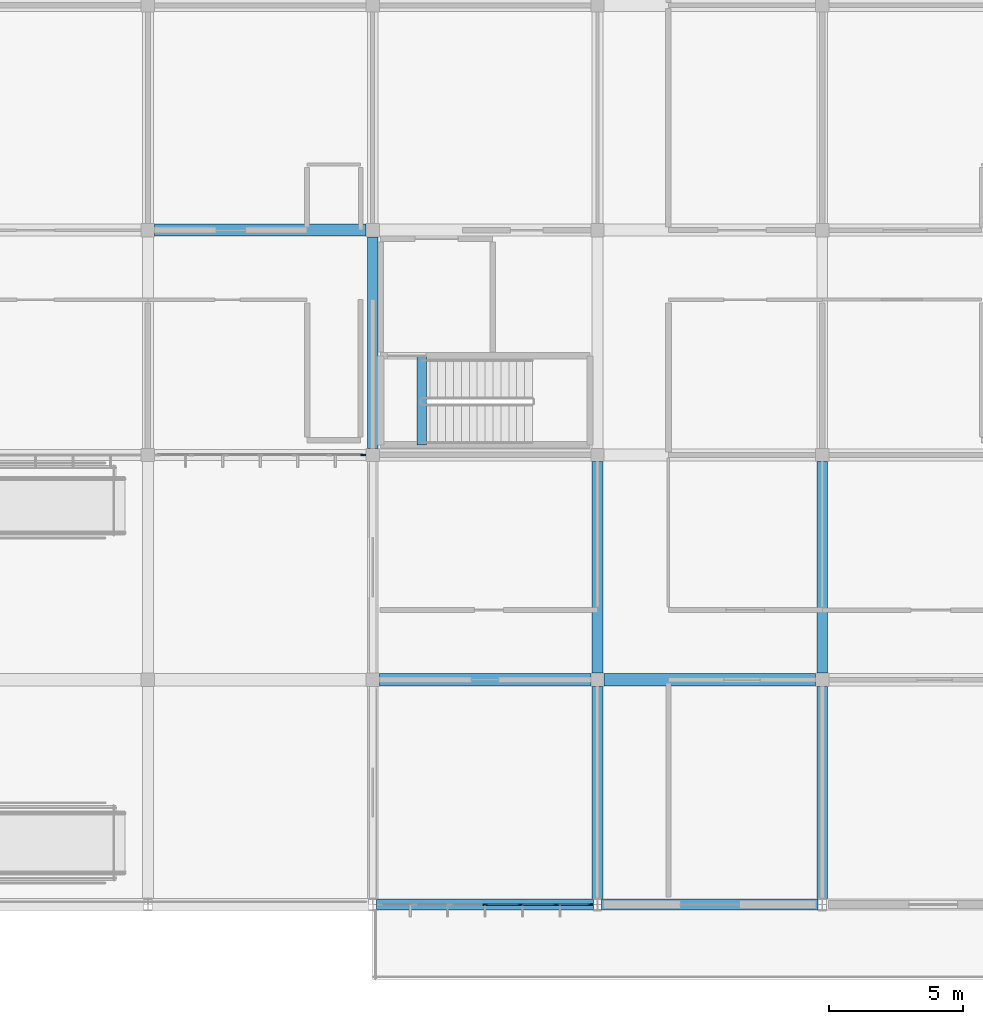
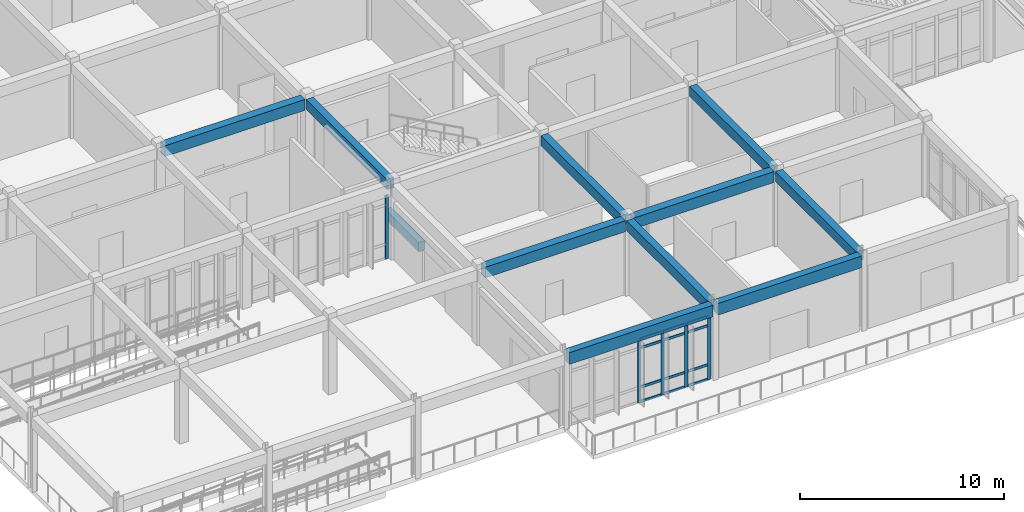
# One storey, part 12 of 138: 17 members, 11 beams, 2 elements without a shape of their own.
"""IFC4 building model written with IfcOpenShell, lengths in metres."""

from ifc_helpers import new_model, si_unit, direction, frame, origin, origin_2d, place, context, subcontext, project, spatial, rectangle, extrude, material, layer, layer_set, material_profile, profile_set, type_object, element, aggregate, save


model = new_model("IFC4")

# Units and contexts
model_context = context("Model", 3, precision=1e-05, world=origin(), true_north=direction((0.0, 1.0)))
body_context = subcontext(model_context, "Body", "Model", "MODEL_VIEW")
ifc_project = project(units=[si_unit("LENGTHUNIT", "METRE"), si_unit("AREAUNIT", "SQUARE_METRE"), si_unit("VOLUMEUNIT", "CUBIC_METRE"), si_unit("PLANEANGLEUNIT", "RADIAN"), si_unit("MASSUNIT", "GRAM", prefix="KILO")], contexts=[model_context])

# Site, building, storey
site_placement = place(None, origin())
site = spatial("IfcSite", under=ifc_project, at=site_placement, CompositionType="ELEMENT")
building_placement = place(site_placement, origin())
building = spatial("IfcBuilding", under=site, at=building_placement, Name="Bramfleet General Hospital", CompositionType="ELEMENT")
storey_placement = place(building_placement, origin())
storey = spatial("IfcBuildingStorey", under=building, at=storey_placement, Name="L00", CompositionType="ELEMENT", Elevation=0.0)

# Beams
ifc_material_1 = material(Name="Concrete C35/45", Category="concrete")
ifc_material_profile_1 = material_profile(ifc_material_1, rectangle(XDim=0.35009765625, YDim=0.550048828125, at=origin_2d()), Name="RC BM 550x350")
ifc_profile_set_1 = profile_set([ifc_material_profile_1], Name="Concrete C35/45")
beam_type_1 = type_object("IfcBeamType", Name="BM-RC550", PredefinedType="BEAM", material=ifc_profile_set_1)
beam_1_placement = place(storey_placement, frame((27.0400390625, 17.179931640625, -0.27490234375), z_axis=(0.0, 1.0, 0.0), x_axis=(-1.0, 0.0, 0.0)))
element("IfcBeam", 1, at=beam_1_placement, inside=storey, type_object=beam_type_1, Name="L00 C7 Stairwell Trimmer Beam", PredefinedType="BEAM", context=body_context, shape_type="SweptSolid", body=[
    extrude(rectangle(XDim=0.35009765625, YDim=0.550048828125, at=origin_2d()), origin(), (0.0, 0.0, 1.0), 3.320068359375),
])
ifc_material_profile_2 = material_profile(ifc_material_1, rectangle(XDim=0.39990234375, YDim=0.60009765625, at=origin_2d()), Name="RC BM 600x400")
ifc_profile_set_2 = profile_set([ifc_material_profile_2], Name="Concrete C35/45")
beam_type_2 = type_object("IfcBeamType", Name="BM-RC600", PredefinedType="BEAM", material=ifc_profile_set_2)
beam_2_placement = place(storey_placement, frame((25.199951171875, 17.050048828125, 4.199951171875), z_axis=(0.0, 1.0, 0.0), x_axis=(-1.0, 0.0, 0.0)))
element("IfcBeam", 2, at=beam_2_placement, inside=storey, type_object=beam_type_2, Name="L00 Grid Beam Y 03-02", PredefinedType="BEAM", context=body_context, shape_type="SweptSolid", body=[
    extrude(rectangle(XDim=0.39990234375, YDim=0.60009765625, at=origin_2d()), origin(), (0.0, 0.0, 1.0), 7.89990234375),
])
beam_3_placement = place(storey_placement, frame((33.60009765625, 0.22509765625, 4.199951171875), z_axis=(0.0, 1.0, 0.0), x_axis=(-1.0, 0.0, 0.0)))
element("IfcBeam", 3, at=beam_3_placement, inside=storey, type_object=beam_type_2, Name="L00 Grid Beam Y 04-00", PredefinedType="BEAM", context=body_context, shape_type="SweptSolid", body=[
    extrude(rectangle(XDim=0.39990234375, YDim=0.60009765625, at=origin_2d()), origin(), (0.0, 0.0, 1.0), 7.9248046875),
])
beam_4_placement = place(storey_placement, frame((33.60009765625, 8.64990234375, 4.199951171875), z_axis=(0.0, 1.0, 0.0), x_axis=(-1.0, 0.0, 0.0)))
element("IfcBeam", 4, at=beam_4_placement, inside=storey, type_object=beam_type_2, Name="L00 Grid Beam Y 04-01", PredefinedType="BEAM", context=body_context, shape_type="SweptSolid", body=[
    extrude(rectangle(XDim=0.39990234375, YDim=0.60009765625, at=origin_2d()), origin(), (0.0, 0.0, 1.0), 7.900146484375),
])
beam_5_placement = place(storey_placement, frame((42.0, 0.22509765625, 4.199951171875), z_axis=(0.0, 1.0, 0.0), x_axis=(-1.0, 0.0, 0.0)))
element("IfcBeam", 5, at=beam_5_placement, inside=storey, type_object=beam_type_2, Name="L00 Grid Beam Y 05-00", PredefinedType="BEAM", context=body_context, shape_type="SweptSolid", body=[
    extrude(rectangle(XDim=0.39990234375, YDim=0.60009765625, at=origin_2d()), origin(), (0.0, 0.0, 1.0), 7.9248046875),
])
beam_6_placement = place(storey_placement, frame((42.0, 8.64990234375, 4.199951171875), z_axis=(0.0, 1.0, 0.0), x_axis=(-1.0, 0.0, 0.0)))
element("IfcBeam", 6, at=beam_6_placement, inside=storey, type_object=beam_type_2, Name="L00 Grid Beam Y 05-01", PredefinedType="BEAM", context=body_context, shape_type="SweptSolid", body=[
    extrude(rectangle(XDim=0.39990234375, YDim=0.60009765625, at=origin_2d()), origin(), (0.0, 0.0, 1.0), 7.900146484375),
])
ifc_material_profile_3 = material_profile(ifc_material_1, rectangle(XDim=0.449951171875, YDim=0.64990234375, at=origin_2d()), Name="RC BM 650x450")
ifc_profile_set_3 = profile_set([ifc_material_profile_3], Name="Concrete C35/45")
beam_type_3 = type_object("IfcBeamType", Name="BM-RC650", PredefinedType="BEAM", material=ifc_profile_set_3)
beam_7_placement = place(storey_placement, frame((17.050048828125, 25.199951171875, 4.175048828125), z_axis=(1.0, 0.0, 0.0), x_axis=(0.0, 1.0, 0.0)))
element("IfcBeam", 7, at=beam_7_placement, inside=storey, type_object=beam_type_3, Name="L00 Grid Beam X 02-03", PredefinedType="BEAM", context=body_context, shape_type="SweptSolid", body=[
    extrude(rectangle(XDim=0.449951171875, YDim=0.64990234375, at=origin_2d()), origin(), (0.0, 0.0, 1.0), 7.89990234375),
])
beam_8_placement = place(storey_placement, frame((25.449951171875, 8.39990234375, 4.175048828125), z_axis=(1.0, 0.0, 0.0), x_axis=(0.0, 1.0, 0.0)))
element("IfcBeam", 8, at=beam_8_placement, inside=storey, type_object=beam_type_3, Name="L00 Grid Beam X 03-01", PredefinedType="BEAM", context=body_context, shape_type="SweptSolid", body=[
    extrude(rectangle(XDim=0.449951171875, YDim=0.64990234375, at=origin_2d()), origin(), (0.0, 0.0, 1.0), 7.900146484375),
])
beam_9_placement = place(storey_placement, frame((33.85009765625, 8.39990234375, 4.175048828125), z_axis=(1.0, 0.0, 0.0), x_axis=(0.0, 1.0, 0.0)))
element("IfcBeam", 9, at=beam_9_placement, inside=storey, type_object=beam_type_3, Name="L00 Grid Beam X 04-01", PredefinedType="BEAM", context=body_context, shape_type="SweptSolid", body=[
    extrude(rectangle(XDim=0.449951171875, YDim=0.64990234375, at=origin_2d()), origin(), (0.0, 0.0, 1.0), 7.89990234375),
])
ifc_material_profile_4 = material_profile(ifc_material_1, rectangle(XDim=0.39990234375, YDim=0.699951171875, at=origin_2d()), Name="RC SP 700x400")
ifc_profile_set_4 = profile_set([ifc_material_profile_4], Name="Concrete C35/45")
beam_type_4 = type_object("IfcBeamType", Name="BM-SP700", PredefinedType="SPANDREL", material=ifc_profile_set_4)
beam_10_placement = place(storey_placement, frame((25.35009765625, 0.0, 4.14990234375), z_axis=(1.0, 0.0, 0.0), x_axis=(0.0, 1.0, 0.0)))
element("IfcBeam", 10, at=beam_10_placement, inside=storey, type_object=beam_type_4, Name="L00 Grid Beam X 03-00", PredefinedType="SPANDREL", context=body_context, shape_type="SweptSolid", body=[
    extrude(rectangle(XDim=0.39990234375, YDim=0.699951171875, at=origin_2d()), origin(), (0.0, 0.0, 1.0), 8.099853515625),
])
beam_11_placement = place(storey_placement, frame((33.75, 0.0, 4.14990234375), z_axis=(1.0, 0.0, 0.0), x_axis=(0.0, 1.0, 0.0)))
element("IfcBeam", 11, at=beam_11_placement, inside=storey, type_object=beam_type_4, Name="L00 Grid Beam X 04-00", PredefinedType="SPANDREL", context=body_context, shape_type="SweptSolid", body=[
    extrude(rectangle(XDim=0.39990234375, YDim=0.699951171875, at=origin_2d()), origin(), (0.0, 0.0, 1.0), 8.10009765625),
])

# Curtain wall, members
ifc_material_2 = material(Name="Anodised aluminium and low-E triple glazing", Category="aluminium")
ifc_layer_1 = layer(ifc_material_2, 0.179931640625, Name="CWT-CW-02")
ifc_layer_set_1 = layer_set([ifc_layer_1], Name="Anodised aluminium and low-E triple glazing")
curtain_wall_type_1 = type_object("IfcCurtainWallType", Name="CWT-CW-02", PredefinedType="USERDEFINED", material=ifc_layer_set_1)
curtain_wall_1_placement = place(storey_placement, origin())
curtain_wall_1 = element("IfcCurtainWall", 12, at=curtain_wall_1_placement, inside=storey, type_object=curtain_wall_type_1, Name="L00 Curtain Wall 38", ObjectType="Unitised curtain wall", PredefinedType="USERDEFINED")
ifc_material_3 = material(Name="Structural timber GL28h", Category="wood")
ifc_material_profile_5 = material_profile(ifc_material_3, rectangle(XDim=0.070068359375, YDim=0.18994140625, at=origin_2d()), Name="LARCH 190x70")
ifc_profile_set_5 = profile_set([ifc_material_profile_5], Name="Structural timber GL28h")
member_type_1 = type_object("IfcMemberType", Name="CWM-LARCH450", PredefinedType="MULLION", material=ifc_profile_set_5)
member_1_placement = place(storey_placement, frame((33.340087890625, 0.0, 0.0), z_axis=(0.0, 0.0, 1.0), x_axis=(0.0, -1.0, 0.0)))
member_1 = element("IfcMember", 13, at=member_1_placement, type_object=member_type_1, Name="CW-02 mullion 1", PredefinedType="MULLION", context=body_context, shape_type="SweptSolid", body=[
    extrude(rectangle(XDim=0.070068359375, YDim=0.18994140625, at=origin_2d()), origin(), (0.0, 0.0, 1.0), 3.7900390625),
])
member_2_placement = place(storey_placement, frame((32.050048828125, 0.0, 0.0), z_axis=(0.0, 0.0, 1.0), x_axis=(0.0, -1.0, 0.0)))
member_2 = element("IfcMember", 14, at=member_2_placement, type_object=member_type_1, Name="CW-02 mullion 2", PredefinedType="MULLION", context=body_context, shape_type="SweptSolid", body=[
    extrude(rectangle(XDim=0.070068359375, YDim=0.18994140625, at=origin_2d()), origin(), (0.0, 0.0, 1.0), 3.7900390625),
])
member_3_placement = place(storey_placement, frame((30.72509765625, 0.0, 0.0), z_axis=(0.0, 0.0, 1.0), x_axis=(0.0, -1.0, 0.0)))
member_3 = element("IfcMember", 15, at=member_3_placement, type_object=member_type_1, Name="CW-02 mullion 3", PredefinedType="MULLION", context=body_context, shape_type="SweptSolid", body=[
    extrude(rectangle(XDim=0.070068359375, YDim=0.18994140625, at=origin_2d()), origin(), (0.0, 0.0, 1.0), 3.7900390625),
])
member_4_placement = place(storey_placement, frame((29.39990234375, 0.0, 0.0), z_axis=(0.0, 0.0, 1.0), x_axis=(0.0, -1.0, 0.0)))
member_4 = element("IfcMember", 16, at=member_4_placement, type_object=member_type_1, Name="CW-02 mullion 4", PredefinedType="MULLION", context=body_context, shape_type="SweptSolid", body=[
    extrude(rectangle(XDim=0.070068359375, YDim=0.18994140625, at=origin_2d()), origin(), (0.0, 0.0, 1.0), 3.7900390625),
])

# Curtain wall, member
ifc_layer_2 = layer(ifc_material_2, 0.179931640625, Name="CWT-CW-03")
ifc_layer_set_2 = layer_set([ifc_layer_2], Name="Anodised aluminium and low-E triple glazing")
curtain_wall_type_2 = type_object("IfcCurtainWallType", Name="CWT-CW-03", PredefinedType="USERDEFINED", material=ifc_layer_set_2)
curtain_wall_2_placement = place(storey_placement, origin())
curtain_wall_2 = element("IfcCurtainWall", 17, at=curtain_wall_2_placement, inside=storey, type_object=curtain_wall_type_2, Name="L00 Curtain Wall 39", ObjectType="Unitised curtain wall", PredefinedType="USERDEFINED")
member_5_placement = place(storey_placement, frame((24.840087890625, 16.800048828125, 0.0), z_axis=(0.0, 0.0, 1.0), x_axis=(0.0, -1.0, 0.0)))
member_5 = element("IfcMember", 18, at=member_5_placement, type_object=member_type_1, Name="CW-03 mullion 1", PredefinedType="MULLION", context=body_context, shape_type="SweptSolid", body=[
    extrude(rectangle(XDim=0.070068359375, YDim=0.18994140625, at=origin_2d()), origin(), (0.0, 0.0, 1.0), 3.7900390625),
])
aggregate(curtain_wall_2, [member_5])

# Member
ifc_material_profile_6 = material_profile(ifc_material_3, rectangle(XDim=0.06494140625, YDim=0.14990234375, at=origin_2d()), Name="LARCH 150x65")
ifc_profile_set_6 = profile_set([ifc_material_profile_6], Name="Structural timber GL28h")
member_type_2 = type_object("IfcMemberType", Name="CWT-LARCH220", PredefinedType="USERDEFINED", material=ifc_profile_set_6)
member_6_placement = place(storey_placement, frame((33.304931640625, 0.0, 0.032470703125), z_axis=(-1.0, 0.0, 0.0), x_axis=(0.0, -1.0, 0.0)))
member_6 = element("IfcMember", 19, at=member_6_placement, type_object=member_type_2, Name="CW-02 transom 1.1", ObjectType="TRANSOM", PredefinedType="USERDEFINED", context=body_context, shape_type="SweptSolid", body=[
    extrude(rectangle(XDim=0.06494140625, YDim=0.14990234375, at=origin_2d()), origin(), (0.0, 0.0, 1.0), 1.219970703125),
])

member_7_placement = place(storey_placement, frame((33.304931640625, 0.0, 0.89990234375), z_axis=(-1.0, 0.0, 0.0), x_axis=(0.0, -1.0, 0.0)))
member_7 = element("IfcMember", 20, at=member_7_placement, type_object=member_type_2, Name="CW-02 transom 1.2", ObjectType="TRANSOM", PredefinedType="USERDEFINED", context=body_context, shape_type="SweptSolid", body=[
    extrude(rectangle(XDim=0.06494140625, YDim=0.14990234375, at=origin_2d()), origin(), (0.0, 0.0, 1.0), 1.219970703125),
])

member_8_placement = place(storey_placement, frame((33.304931640625, 0.0, 3.239990234375), z_axis=(-1.0, 0.0, 0.0), x_axis=(0.0, -1.0, 0.0)))
member_8 = element("IfcMember", 21, at=member_8_placement, type_object=member_type_2, Name="CW-02 transom 1.3", ObjectType="TRANSOM", PredefinedType="USERDEFINED", context=body_context, shape_type="SweptSolid", body=[
    extrude(rectangle(XDim=0.06494140625, YDim=0.14990234375, at=origin_2d()), origin(), (0.0, 0.0, 1.0), 1.219970703125),
])

member_9_placement = place(storey_placement, frame((33.304931640625, 0.0, 3.757568359375), z_axis=(-1.0, 0.0, 0.0), x_axis=(0.0, -1.0, 0.0)))
member_9 = element("IfcMember", 22, at=member_9_placement, type_object=member_type_2, Name="CW-02 transom 1.4", ObjectType="TRANSOM", PredefinedType="USERDEFINED", context=body_context, shape_type="SweptSolid", body=[
    extrude(rectangle(XDim=0.06494140625, YDim=0.14990234375, at=origin_2d()), origin(), (0.0, 0.0, 1.0), 1.219970703125),
])

member_10_placement = place(storey_placement, frame((32.014892578125, 0.0, 0.032470703125), z_axis=(-1.0, 0.0, 0.0), x_axis=(0.0, -1.0, 0.0)))
member_10 = element("IfcMember", 23, at=member_10_placement, type_object=member_type_2, Name="CW-02 transom 2.1", ObjectType="TRANSOM", PredefinedType="USERDEFINED", context=body_context, shape_type="SweptSolid", body=[
    extrude(rectangle(XDim=0.06494140625, YDim=0.14990234375, at=origin_2d()), origin(), (0.0, 0.0, 1.0), 1.2548828125),
])

member_11_placement = place(storey_placement, frame((32.014892578125, 0.0, 0.89990234375), z_axis=(-1.0, 0.0, 0.0), x_axis=(0.0, -1.0, 0.0)))
member_11 = element("IfcMember", 24, at=member_11_placement, type_object=member_type_2, Name="CW-02 transom 2.2", ObjectType="TRANSOM", PredefinedType="USERDEFINED", context=body_context, shape_type="SweptSolid", body=[
    extrude(rectangle(XDim=0.06494140625, YDim=0.14990234375, at=origin_2d()), origin(), (0.0, 0.0, 1.0), 1.2548828125),
])

member_12_placement = place(storey_placement, frame((32.014892578125, 0.0, 3.239990234375), z_axis=(-1.0, 0.0, 0.0), x_axis=(0.0, -1.0, 0.0)))
member_12 = element("IfcMember", 25, at=member_12_placement, type_object=member_type_2, Name="CW-02 transom 2.3", ObjectType="TRANSOM", PredefinedType="USERDEFINED", context=body_context, shape_type="SweptSolid", body=[
    extrude(rectangle(XDim=0.06494140625, YDim=0.14990234375, at=origin_2d()), origin(), (0.0, 0.0, 1.0), 1.2548828125),
])

member_13_placement = place(storey_placement, frame((32.014892578125, 0.0, 3.757568359375), z_axis=(-1.0, 0.0, 0.0), x_axis=(0.0, -1.0, 0.0)))
member_13 = element("IfcMember", 26, at=member_13_placement, type_object=member_type_2, Name="CW-02 transom 2.4", ObjectType="TRANSOM", PredefinedType="USERDEFINED", context=body_context, shape_type="SweptSolid", body=[
    extrude(rectangle(XDim=0.06494140625, YDim=0.14990234375, at=origin_2d()), origin(), (0.0, 0.0, 1.0), 1.2548828125),
])

member_14_placement = place(storey_placement, frame((30.68994140625, 0.0, 0.032470703125), z_axis=(-1.0, 0.0, 0.0), x_axis=(0.0, -1.0, 0.0)))
member_14 = element("IfcMember", 27, at=member_14_placement, type_object=member_type_2, Name="CW-02 transom 3.1", ObjectType="TRANSOM", PredefinedType="USERDEFINED", context=body_context, shape_type="SweptSolid", body=[
    extrude(rectangle(XDim=0.06494140625, YDim=0.14990234375, at=origin_2d()), origin(), (0.0, 0.0, 1.0), 1.2548828125),
])

member_15_placement = place(storey_placement, frame((30.68994140625, 0.0, 0.89990234375), z_axis=(-1.0, 0.0, 0.0), x_axis=(0.0, -1.0, 0.0)))
member_15 = element("IfcMember", 28, at=member_15_placement, type_object=member_type_2, Name="CW-02 transom 3.2", ObjectType="TRANSOM", PredefinedType="USERDEFINED", context=body_context, shape_type="SweptSolid", body=[
    extrude(rectangle(XDim=0.06494140625, YDim=0.14990234375, at=origin_2d()), origin(), (0.0, 0.0, 1.0), 1.2548828125),
])

member_16_placement = place(storey_placement, frame((30.68994140625, 0.0, 3.239990234375), z_axis=(-1.0, 0.0, 0.0), x_axis=(0.0, -1.0, 0.0)))
member_16 = element("IfcMember", 29, at=member_16_placement, type_object=member_type_2, Name="CW-02 transom 3.3", ObjectType="TRANSOM", PredefinedType="USERDEFINED", context=body_context, shape_type="SweptSolid", body=[
    extrude(rectangle(XDim=0.06494140625, YDim=0.14990234375, at=origin_2d()), origin(), (0.0, 0.0, 1.0), 1.2548828125),
])

member_17_placement = place(storey_placement, frame((30.68994140625, 0.0, 3.757568359375), z_axis=(-1.0, 0.0, 0.0), x_axis=(0.0, -1.0, 0.0)))
member_17 = element("IfcMember", 30, at=member_17_placement, type_object=member_type_2, Name="CW-02 transom 3.4", ObjectType="TRANSOM", PredefinedType="USERDEFINED", context=body_context, shape_type="SweptSolid", body=[
    extrude(rectangle(XDim=0.06494140625, YDim=0.14990234375, at=origin_2d()), origin(), (0.0, 0.0, 1.0), 1.2548828125),
])

aggregate(curtain_wall_1, [member_1, member_2, member_3, member_4, member_6, member_7, member_8, member_9, member_10, member_11, member_12, member_13, member_14, member_15, member_16, member_17])

save(model, "model.ifc")
